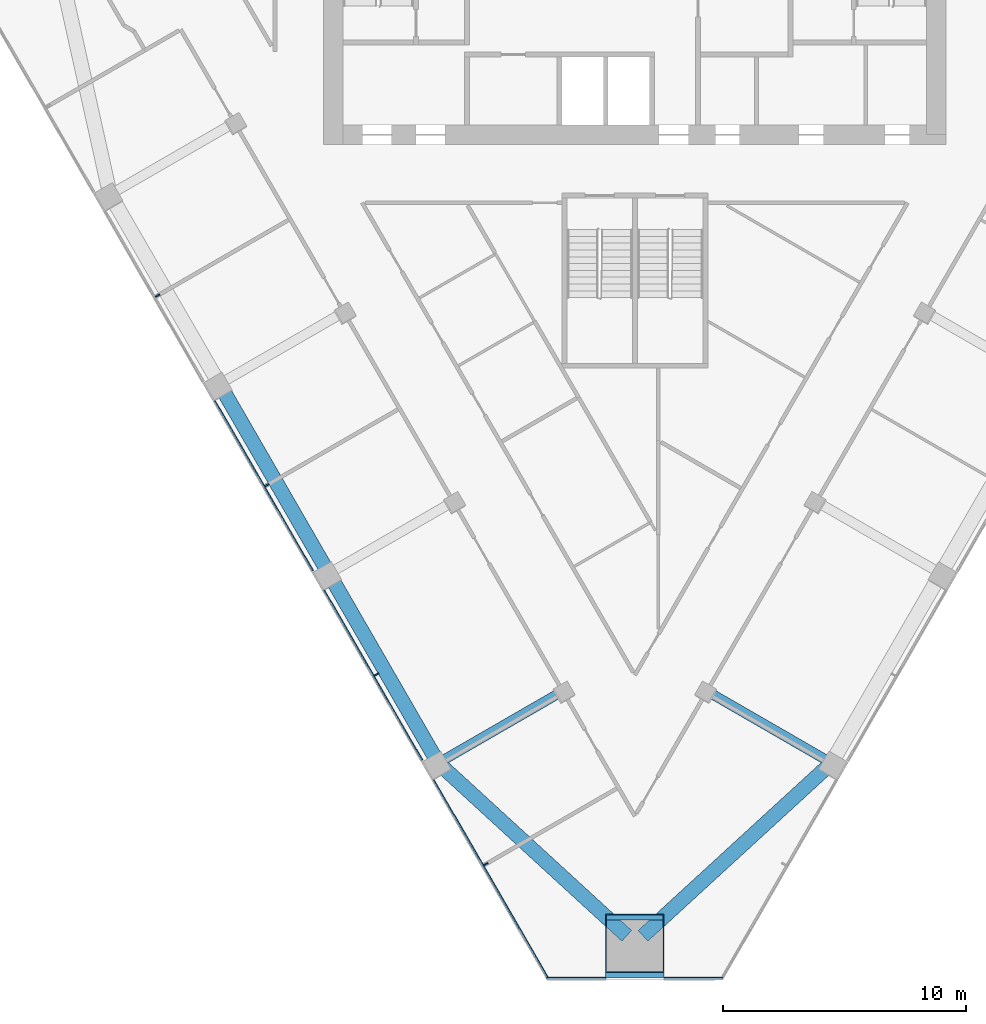
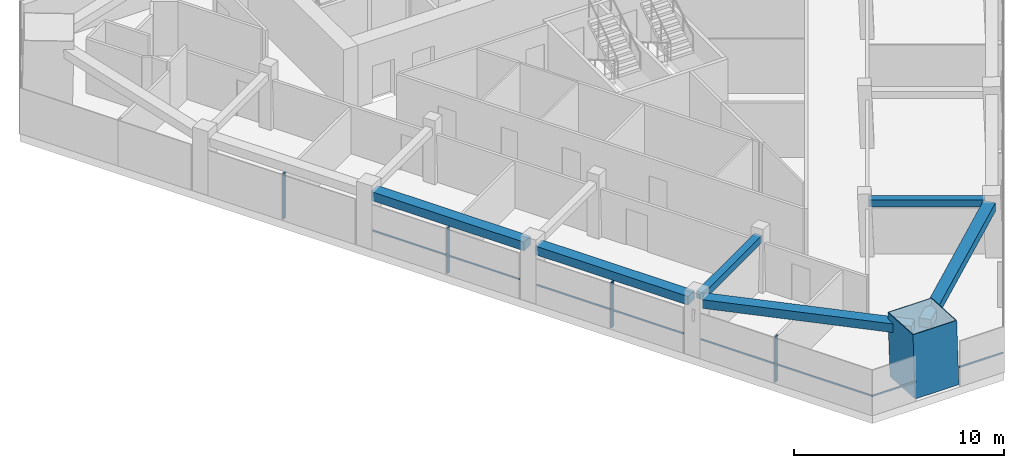
# One storey, part 2 of 13: 10 members, 6 beams, 2 elements without a shape of their own.
"""IFC4 building model written with IfcOpenShell, lengths in metres."""

from ifc_helpers import new_model, si_unit, direction, frame, origin, origin_2d, place, context, subcontext, project, spatial, rectangle, hollow_rectangle, extrude, material, layer, layer_set, material_profile, profile_set, type_object, element, aggregate, save


model = new_model("IFC4")

# Units and contexts
model_context = context("Model", 3, precision=1e-05, world=origin(), true_north=direction((0.0, 1.0)))
body_context = subcontext(model_context, "Body", "Model", "MODEL_VIEW")
ifc_project = project(units=[si_unit("LENGTHUNIT", "METRE"), si_unit("AREAUNIT", "SQUARE_METRE"), si_unit("VOLUMEUNIT", "CUBIC_METRE"), si_unit("PLANEANGLEUNIT", "RADIAN"), si_unit("MASSUNIT", "GRAM", prefix="KILO")], contexts=[model_context])

# Site, building, storey
site_placement = place(None, origin())
site = spatial("IfcSite", under=ifc_project, at=site_placement, CompositionType="ELEMENT")
building_placement = place(site_placement, origin())
building = spatial("IfcBuilding", under=site, at=building_placement, Name="Altiplano Prism Tower", CompositionType="ELEMENT")
storey_placement = place(building_placement, frame((0.0, 0.0, 156.60009765625)))
storey = spatial("IfcBuildingStorey", under=building, at=storey_placement, Name="L40", CompositionType="ELEMENT", Elevation=156.60009765625)

# Curtain wall, members
ifc_material_1 = material(Name="Aluminium and glass", Category="aluminium")
ifc_layer = layer(ifc_material_1, 0.303955078125)
ifc_layer_set = layer_set([ifc_layer], Name="Aluminium and glass")
curtain_wall_type = type_object("IfcCurtainWallType", Name="CW2 lounge-band unitised glazing", PredefinedType="NOTDEFINED", material=ifc_layer_set)
curtain_wall_1_placement = place(storey_placement, origin())
curtain_wall_1 = element("IfcCurtainWall", 1, at=curtain_wall_1_placement, inside=storey, type_object=curtain_wall_type, Name="CW2 curtain wall south-west face L40", PredefinedType="NOTDEFINED")
ifc_material_2 = material(Name="Aluminium", Category="aluminium")
ifc_material_profile_1 = material_profile(ifc_material_2, rectangle(XDim=0.199951171875, YDim=0.06005859375, at=origin_2d()), Name="CW2 mullion 60 x 200")
ifc_profile_set_1 = profile_set([ifc_material_profile_1], Name="Aluminium")
member_type_1 = type_object("IfcMemberType", Name="CW2 mullion 60 x 200", PredefinedType="MULLION", material=ifc_profile_set_1)
member_1_placement = place(storey_placement, frame((65.369873046875, 86.3837890625, 0.0), z_axis=(0.0, 0.0, 1.0), x_axis=(0.866025403025, 0.500000001315, 0.0)))
member_1 = element("IfcMember", 2, at=member_1_placement, type_object=member_type_1, Name="CW2 mullion", PredefinedType="MULLION", context=body_context, shape_type="SweptSolid", body=[
    extrude(rectangle(XDim=0.199951171875, YDim=0.06005859375, at=origin_2d()), origin(), (0.0, 0.0, 1.0), 2.64990234375),
])
member_2_placement = place(storey_placement, frame((69.869873046875, 78.589599609375, 0.0), z_axis=(0.0, 0.0, 1.0), x_axis=(0.866025403025, 0.500000001315, 0.0)))
member_2 = element("IfcMember", 3, at=member_2_placement, type_object=member_type_1, Name="CW2 mullion", PredefinedType="MULLION", context=body_context, shape_type="SweptSolid", body=[
    extrude(rectangle(XDim=0.199951171875, YDim=0.06005859375, at=origin_2d()), origin(), (0.0, 0.0, 1.0), 2.64990234375),
])
member_3_placement = place(storey_placement, frame((74.369873046875, 70.79541015625, 0.0), z_axis=(0.0, 0.0, 1.0), x_axis=(0.866025403025, 0.500000001315, 0.0)))
member_3 = element("IfcMember", 4, at=member_3_placement, type_object=member_type_1, Name="CW2 mullion", PredefinedType="MULLION", context=body_context, shape_type="SweptSolid", body=[
    extrude(rectangle(XDim=0.199951171875, YDim=0.06005859375, at=origin_2d()), origin(), (0.0, 0.0, 1.0), 2.64990234375),
])
member_4_placement = place(storey_placement, frame((78.869873046875, 63.001220703125, 0.0), z_axis=(0.0, 0.0, 1.0), x_axis=(0.866025403025, 0.500000001315, 0.0)))
member_4 = element("IfcMember", 5, at=member_4_placement, type_object=member_type_1, Name="CW2 mullion", PredefinedType="MULLION", context=body_context, shape_type="SweptSolid", body=[
    extrude(rectangle(XDim=0.199951171875, YDim=0.06005859375, at=origin_2d()), origin(), (0.0, 0.0, 1.0), 2.64990234375),
])
ifc_material_profile_2 = material_profile(ifc_material_2, rectangle(XDim=0.06005859375, YDim=0.080078125, at=origin_2d()), Name="CW2 transom 80 x 60")
ifc_profile_set_2 = profile_set([ifc_material_profile_2], Name="Aluminium")
member_type_2 = type_object("IfcMemberType", Name="CW2 transom 80 x 60", PredefinedType="USERDEFINED", material=ifc_profile_set_2)
member_5_placement = place(storey_placement, frame((67.719970703125, 82.05322265625, 1.099853515625), z_axis=(0.499994808408, -0.866028401131, 0.0), x_axis=(0.866028401131, 0.499994808408, 0.0)))
member_5 = element("IfcMember", 6, at=member_5_placement, type_object=member_type_2, Name="CW2 transom", ObjectType="TRANSOM", PredefinedType="USERDEFINED", context=body_context, shape_type="SweptSolid", body=[
    extrude(rectangle(XDim=0.06005859375, YDim=0.080078125, at=origin_2d()), origin(), (0.0, 0.0, 1.0), 8.06982421875),
])
member_6_placement = place(storey_placement, frame((72.219970703125, 74.259033203125, 1.099853515625), z_axis=(0.499994808408, -0.866028401131, 0.0), x_axis=(0.866028401131, 0.499994808408, 0.0)))
member_6 = element("IfcMember", 7, at=member_6_placement, type_object=member_type_2, Name="CW2 transom", ObjectType="TRANSOM", PredefinedType="USERDEFINED", context=body_context, shape_type="SweptSolid", body=[
    extrude(rectangle(XDim=0.06005859375, YDim=0.080078125, at=origin_2d()), origin(), (0.0, 0.0, 1.0), 8.06982421875),
])
member_7_placement = place(storey_placement, frame((76.719970703125, 66.464599609375, 1.099853515625), z_axis=(0.500003221507, -0.866023543838, 0.0), x_axis=(0.866023543838, 0.500003221507, 0.0)))
member_7 = element("IfcMember", 8, at=member_7_placement, type_object=member_type_2, Name="CW2 transom", ObjectType="TRANSOM", PredefinedType="USERDEFINED", context=body_context, shape_type="SweptSolid", body=[
    extrude(rectangle(XDim=0.06005859375, YDim=0.080078125, at=origin_2d()), origin(), (0.0, 0.0, 1.0), 9.458984375),
])
aggregate(curtain_wall_1, [member_1, member_2, member_5, member_3, member_6, member_4, member_7])

curtain_wall_2_placement = place(storey_placement, origin())
curtain_wall_2 = element("IfcCurtainWall", 9, at=curtain_wall_2_placement, inside=storey, type_object=curtain_wall_type, Name="CW2 curtain wall south chamfer L40", PredefinedType="NOTDEFINED")
member_8_placement = place(storey_placement, frame((81.385498046875, 58.309814453125, 1.099853515625), z_axis=(1.0, 0.0, 0.0), x_axis=(0.0, 1.0, 0.0)))
member_8 = element("IfcMember", 10, at=member_8_placement, type_object=member_type_2, Name="CW2 transom", ObjectType="TRANSOM", PredefinedType="USERDEFINED", context=body_context, shape_type="SweptSolid", body=[
    extrude(rectangle(XDim=0.06005859375, YDim=0.080078125, at=origin_2d()), origin(), (0.0, 0.0, 1.0), 2.41455078125),
])
member_9_placement = place(storey_placement, frame((86.199951171875, 58.309814453125, 1.099853515625), z_axis=(1.0, 0.0, 0.0), x_axis=(0.0, 1.0, 0.0)))
member_9 = element("IfcMember", 11, at=member_9_placement, type_object=member_type_2, Name="CW2 transom", ObjectType="TRANSOM", PredefinedType="USERDEFINED", context=body_context, shape_type="SweptSolid", body=[
    extrude(rectangle(XDim=0.06005859375, YDim=0.080078125, at=origin_2d()), origin(), (0.0, 0.0, 1.0), 2.41455078125),
])
aggregate(curtain_wall_2, [member_8, member_9])

# Beams
ifc_material_3 = material(Name="Concrete C60/75", Category="concrete")
ifc_material_profile_3 = material_profile(ifc_material_3, rectangle(XDim=0.60009765625, YDim=0.5, at=origin_2d()), Name="Edge beam 600x500")
ifc_profile_set_3 = profile_set([ifc_material_profile_3], Name="Concrete C60/75")
beam_type_1 = type_object("IfcBeamType", Name="Edge beam 600x500", PredefinedType="SPANDREL", material=ifc_profile_set_3)
for number, where, z_axis, x_axis, name in (
    (12, (68.065185546875, 82.484130859375, 2.89990234375), (0.500010445942, -0.866019372733, 0.0), (0.866019372733, 0.500010445942, 0.0), "Edge beam P12-P13 L41"),
    (13, (72.565185546875, 74.68994140625, 2.89990234375), (0.500010445942, -0.866019372733, 0.0), (0.866019372733, 0.500010445942, 0.0), "Edge beam P13-P14 L41"),
):
    element("IfcBeam", number, at=place(storey_placement, frame(where, z_axis=z_axis, x_axis=x_axis)), inside=storey, type_object=beam_type_1, Name=name, PredefinedType="SPANDREL", context=body_context, shape_type="SweptSolid", body=[
        extrude(rectangle(XDim=0.60009765625, YDim=0.5, at=origin_2d()), origin(), (0.0, 0.0, 1.0), 8.389892578125),
    ])
for number, where, z_axis, x_axis, name in (
    (14, (77.15283203125, 66.93994140625, 2.89990234375), (0.737127302115, -0.675753905262, 0.0), (0.675753905262, 0.737127302115, 0.0), "Edge beam P14-M1 L41"),
    (15, (85.331787109375, 60.05029296875, 2.89990234375), (0.737127302115, 0.675753905262, 0.0), (-0.675753905262, 0.737127302115, 0.0), "Edge beam M1-P21 L41"),
):
    element("IfcBeam", number, at=place(storey_placement, frame(where, z_axis=z_axis, x_axis=x_axis)), inside=storey, type_object=beam_type_1, Name=name, PredefinedType="SPANDREL", context=body_context, shape_type="SweptSolid", body=[
        extrude(rectangle(XDim=0.60009765625, YDim=0.5, at=origin_2d()), origin(), (0.0, 0.0, 1.0), 10.195556640625),
    ])

# Member
ifc_material_4 = material(Name="Steel S460", Category="steel")
ifc_material_profile_4 = material_profile(ifc_material_4, hollow_rectangle(XDim=2.39990234375, YDim=2.39990234375, WallThickness=0.0400390625, at=origin_2d()), Name="Mega column tube 2400")
ifc_profile_set_4 = profile_set([ifc_material_profile_4], Name="Steel S460")
member_type_3 = type_object("IfcMemberType", Name="Mega column tube 2400", PredefinedType="POST", material=ifc_profile_set_4)
member_10_placement = place(storey_placement, frame((85.0, 59.535888671875, 0.0), z_axis=(0.0, 0.058360852261, 0.998295552892), x_axis=(-1.0, 0.0, 0.0)))
element("IfcMember", 16, at=member_10_placement, inside=storey, type_object=member_type_3, Name="Mega column tube M1 L40", PredefinedType="POST", context=body_context, shape_type="SweptSolid", body=[
    extrude(hollow_rectangle(XDim=2.39990234375, YDim=2.39990234375, WallThickness=0.0400390625, at=origin_2d()), origin(), (0.0, 0.0, 1.0), 3.60595703125),
])

# Beams
ifc_material_profile_5 = material_profile(ifc_material_3, rectangle(XDim=0.39990234375, YDim=0.39990234375, at=origin_2d()), Name="Tie beam 400x400")
ifc_profile_set_5 = profile_set([ifc_material_profile_5], Name="Concrete C60/75")
beam_type_2 = type_object("IfcBeamType", Name="Tie beam 400x400", PredefinedType="BEAM", material=ifc_profile_set_5)
for number, where, z_axis, x_axis, name in (
    (17, (81.974609375, 70.082275390625, 2.949951171875), (-0.866016055733, -0.50001619095, 0.0), (0.50001619095, -0.866016055733, 0.0), "Tie beam I14 L41"),
    (18, (88.025390625, 70.082275390625, 2.949951171875), (0.866016055733, -0.50001619095, 0.0), (0.50001619095, 0.866016055733, 0.0), "Tie beam I21 L41"),
):
    element("IfcBeam", number, at=place(storey_placement, frame(where, z_axis=z_axis, x_axis=x_axis)), inside=storey, type_object=beam_type_2, Name=name, PredefinedType="BEAM", context=body_context, shape_type="SweptSolid", body=[
        extrude(rectangle(XDim=0.39990234375, YDim=0.39990234375, at=origin_2d()), origin(), (0.0, 0.0, 1.0), 5.539794921875),
    ])

save(model, "model.ifc")
